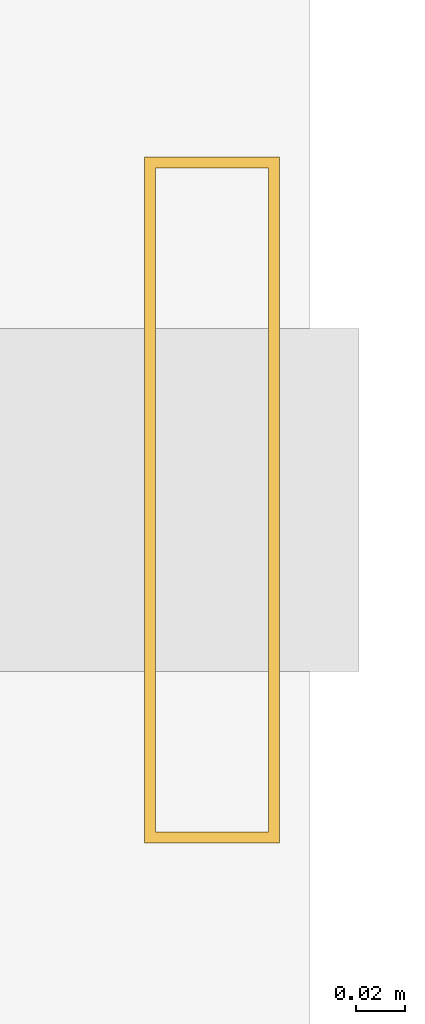
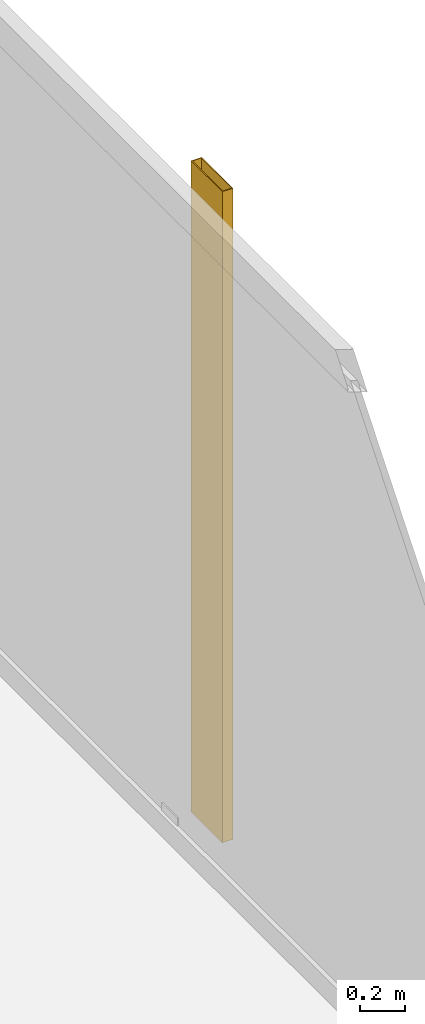
# One storey, part 23 of 23: 1 shading device.
"""IFC4 building model written with IfcOpenShell, lengths in metres."""

import ifcopenshell
import ifcopenshell.guid

model = None  # the IFC model being written
_history = None  # IfcOwnerHistory: only IFC2X3 demands one
_inside = {}  # id of a spatial element -> (the spatial element, [elements in it])
_under = {}  # id of a project, library or spatial element -> (it, [spatial elements below it])
_declared = {}  # id of a project -> (the project, [libraries it declares])
_typed = {}  # id of a type object -> (the type object, [elements of that type])
_made_of = {}  # id of a material, layer set ... -> (it, [elements and type objects made of it])


def new_model(schema):
    """Start an empty IFC model of exactly this schema.

    Asked for "IFC4X3", IfcOpenShell would pick the latest addendum, in which some entities
    have other attributes; the version numbers below select the first issue.
    IFC2X3 requires an IfcOwnerHistory on every rooted entity: one is made here for all.
    """
    global model, _history
    if schema == "IFC4X3":
        model = ifcopenshell.file(schema_version=(4, 3, 0, 0))
    else:
        model = ifcopenshell.file(schema=schema)
    _inside.clear()
    _under.clear()
    _declared.clear()
    _typed.clear()
    _made_of.clear()
    _history = None
    if model.schema == "IFC2X3":
        org = make("IfcOrganization", Name="unknown")
        user = make(
            "IfcPersonAndOrganization",
            ThePerson=make("IfcPerson", FamilyName="unknown"),
            TheOrganization=org,
        )
        app = make(
            "IfcApplication",
            ApplicationDeveloper=org,
            Version="unknown",
            ApplicationFullName="unknown",
            ApplicationIdentifier="unknown",
        )
        _history = make(
            "IfcOwnerHistory",
            OwningUser=user,
            OwningApplication=app,
            ChangeAction="ADDED",
            CreationDate=0,
        )
    return model


def make(cls, **values):
    """One entity of the class cls with the attributes given. An attribute that is None is left unset."""
    return model.create_entity(
        cls, **{name: value for name, value in values.items() if value is not None}
    )


def rooted(cls, **values):
    """An entity with a GlobalId (a new one), such as an element, a storey or a relation."""
    return make(cls, GlobalId=ifcopenshell.guid.new(), OwnerHistory=_history, **values)


def si_unit(unit_type, name, prefix=None):
    """IfcSIUnit, for example si_unit("LENGTHUNIT", "METRE", prefix="MILLI")."""
    return make("IfcSIUnit", UnitType=unit_type, Prefix=prefix, Name=name)


def assignment(units):
    """IfcUnitAssignment: the units of a project."""
    return None if units is None else make("IfcUnitAssignment", Units=units)


def point(xyz):
    """IfcCartesianPoint."""
    return None if xyz is None else make("IfcCartesianPoint", Coordinates=xyz)


def direction(xyz):
    """IfcDirection."""
    return None if xyz is None else make("IfcDirection", DirectionRatios=xyz)


def frame(location, z_axis=None, x_axis=None):
    """IfcAxis2Placement3D, a coordinate frame: its origin and axes. An axis left out is left unset."""
    return make(
        "IfcAxis2Placement3D",
        Location=point(location),
        Axis=direction(z_axis),
        RefDirection=direction(x_axis),
    )


def frame_2d(location, x_axis=None):
    """IfcAxis2Placement2D, a coordinate frame in the plane: its origin and x axis."""
    return make(
        "IfcAxis2Placement2D", Location=point(location), RefDirection=direction(x_axis)
    )


def origin():
    """The frame at (0, 0, 0) with its axes left unset."""
    return frame((0.0, 0.0, 0.0))


def origin_2d():
    """The frame at (0, 0) in the plane with its x axis left unset."""
    return frame_2d((0.0, 0.0))


def place(relative_to, where):
    """IfcLocalPlacement: puts the frame where relative to a parent placement (None: the world)."""
    return make(
        "IfcLocalPlacement", PlacementRelTo=relative_to, RelativePlacement=where
    )


def context(
    kind, dimensions, precision=None, world=None, true_north=None, identifier=None
):
    """IfcGeometricRepresentationContext, for example the 3D "Model" context."""
    return make(
        "IfcGeometricRepresentationContext",
        ContextIdentifier=identifier,
        ContextType=kind,
        CoordinateSpaceDimension=dimensions,
        Precision=precision,
        WorldCoordinateSystem=world,
        TrueNorth=true_north,
    )


def subcontext(parent, identifier, kind, view, scale=None):
    """IfcGeometricRepresentationSubContext, for example "Body" below "Model"."""
    return make(
        "IfcGeometricRepresentationSubContext",
        ContextIdentifier=identifier,
        ContextType=kind,
        ParentContext=parent,
        TargetScale=scale,
        TargetView=view,
    )


def project(units=None, contexts=None):
    """IfcProject with its units and contexts."""
    return rooted(
        "IfcProject",
        Name="project",
        RepresentationContexts=contexts,
        UnitsInContext=assignment(units),
    )


def spatial(cls, under=None, at=None, **own):
    """A site, building, storey or space (cls), placed at a placement, below another one or the project."""
    s = rooted(cls, ObjectPlacement=at, **own)
    if under is not None:
        _under.setdefault(under.id(), (under, []))[1].append(s)
    return s


def profile(cls, at=None, kind="AREA", **sizes):
    """A parametric profile (cls). Its sizes go by their IFC names, for example OverallWidth=200.0."""
    return make(cls, ProfileType=kind, Position=at, **sizes)


def hollow_rectangle(**sizes):
    """IfcRectangleHollowProfileDef."""
    return profile("IfcRectangleHollowProfileDef", **sizes)


def extrude(swept, where, along, depth):
    """IfcExtrudedAreaSolid: the profile swept, set in the frame where, extruded along a direction by depth."""
    return make(
        "IfcExtrudedAreaSolid",
        SweptArea=swept,
        Position=where,
        ExtrudedDirection=direction(along),
        Depth=depth,
    )


def shape(context_of_items, identifier, shape_type, items):
    """IfcShapeRepresentation: the items that make up one representation, for example the "Body"."""
    return make(
        "IfcShapeRepresentation",
        ContextOfItems=context_of_items,
        RepresentationIdentifier=identifier,
        RepresentationType=shape_type,
        Items=items,
    )


def material(Name=None, Category=None):
    """IfcMaterial."""
    return make("IfcMaterial", Name=Name, Category=Category)


def material_profile(
    of_material, cross_section, Name=None, Category=None, Priority=None
):
    """IfcMaterialProfile: a cross section and its material."""
    return make(
        "IfcMaterialProfile",
        Name=Name,
        Material=of_material,
        Profile=cross_section,
        Priority=Priority,
        Category=Category,
    )


def profile_set(profiles, Name=None, composite=None):
    """IfcMaterialProfileSet."""
    return make(
        "IfcMaterialProfileSet",
        Name=Name,
        MaterialProfiles=profiles,
        CompositeProfile=composite,
    )


def made_of(thing, what):
    """Note that an element or type object is made of a material, layer set ...; save() writes the relation."""
    if what is not None:
        _made_of.setdefault(what.id(), (what, []))[1].append(thing)
    return thing


def type_object(cls, material=None, **own):
    """A type object (cls), such as IfcWallType, which elements share."""
    return made_of(rooted(cls, **own), material)


def element(
    cls,
    number,
    at=None,
    inside=None,
    cuts=None,
    type_object=None,
    material=None,
    context=None,
    identifier="Body",
    shape_type=None,
    held_by="IfcProductDefinitionShape",
    body=None,
    shapes=None,
    **own,
):
    """One element of the class cls, such as IfcWall. Its Tag is "e" and its number.

    at: its placement. inside: the storey or other place that contains it. cuts: it is an
    opening in that element (IfcRelVoidsElement). A single representation is given by context,
    identifier, shape_type and body (its items); several are given by shapes. held_by: the class
    of the entity that holds the representations. save() writes the other relations.
    """
    e = rooted(cls, Tag="e%d" % number, ObjectPlacement=at, **own)
    if body is not None:
        shapes = [shape(context, identifier, shape_type, body)]
    if shapes is not None:
        e.Representation = make(held_by, Representations=shapes)
    if inside is not None:
        _inside.setdefault(inside.id(), (inside, []))[1].append(e)
    if cuts is not None:
        rooted(
            "IfcRelVoidsElement", RelatingBuildingElement=cuts, RelatedOpeningElement=e
        )
    if type_object is not None:
        _typed.setdefault(type_object.id(), (type_object, []))[1].append(e)
    return made_of(e, material)


def aggregate(whole, parts):
    """IfcRelAggregates: a whole, such as a stair, and the parts it consists of."""
    return rooted("IfcRelAggregates", RelatingObject=whole, RelatedObjects=parts)


def save(model, path):
    """Write the relations noted so far, then the file.

    IfcRelAggregates (storeys below a building ...), IfcRelContainedInSpatialStructure (elements
    in a storey), IfcRelDefinesByType, IfcRelAssociatesMaterial and IfcRelDeclares: one each for
    every whole, place, type object, material and project.
    """
    for whole, parts in _under.values():
        aggregate(whole, parts)
    for where, things in _inside.values():
        rooted(
            "IfcRelContainedInSpatialStructure",
            RelatedElements=things,
            RelatingStructure=where,
        )
    for kind, things in _typed.values():
        rooted("IfcRelDefinesByType", RelatedObjects=things, RelatingType=kind)
    for what, things in _made_of.values():
        rooted("IfcRelAssociatesMaterial", RelatedObjects=things, RelatingMaterial=what)
    for by, libraries in _declared.values():
        rooted("IfcRelDeclares", RelatingContext=by, RelatedDefinitions=libraries)
    model.write(path)


model = new_model("IFC4")

# Units and contexts
model_context = context("Model", 3, precision=1e-05, world=origin(), true_north=direction((0.0, 1.0)))
body_context = subcontext(model_context, "Body", "Model", "MODEL_VIEW")
ifc_project = project(units=[si_unit("LENGTHUNIT", "METRE"), si_unit("AREAUNIT", "SQUARE_METRE"), si_unit("VOLUMEUNIT", "CUBIC_METRE"), si_unit("PLANEANGLEUNIT", "RADIAN"), si_unit("MASSUNIT", "GRAM", prefix="KILO")], contexts=[model_context])

# Site, building, storey
site_placement = place(None, origin())
site = spatial("IfcSite", under=ifc_project, at=site_placement, CompositionType="ELEMENT")
building_placement = place(site_placement, origin())
building = spatial("IfcBuilding", under=site, at=building_placement, Name="Kolvaren Waterfront Exchange", CompositionType="ELEMENT")
storey_placement = place(building_placement, frame((0.0, 0.0, 297.0)))
storey = spatial("IfcBuildingStorey", under=building, at=storey_placement, Name="L76", CompositionType="ELEMENT", Elevation=297.0)

# Shading device
ifc_material = material(Name="Anodised bronze aluminium 6063-T6", Category="aluminium")
ifc_material_profile = material_profile(ifc_material, hollow_rectangle(XDim=0.054931640625, YDim=0.280029296875, WallThickness=0.00439453125, at=origin_2d()), Name="BRZ-FIN-280x55x4.5")
ifc_profile_set = profile_set([ifc_material_profile], Name="Anodised bronze aluminium 6063-T6")
shading_device_type = type_object("IfcShadingDeviceType", Name="ARC-FIN-280", PredefinedType="USERDEFINED", material=ifc_profile_set)
shading_device_placement = place(storey_placement, frame((21.265380859375, 37.60009765625, 0.0), z_axis=(0.0, 0.0, 1.0), x_axis=(1.0, 0.0, 0.0)))
element("IfcShadingDevice", 1, at=shading_device_placement, inside=storey, type_object=shading_device_type, Name="L76 anodised bronze solar shading fin FIN-L76-E3", ObjectType="SOLAR FIN", PredefinedType="USERDEFINED", context=body_context, shape_type="SweptSolid", body=[
    extrude(hollow_rectangle(XDim=0.054931640625, YDim=0.280029296875, WallThickness=0.00439453125, at=origin_2d()), origin(), (0.0, 0.0, 1.0), 3.56005859375),
])

save(model, "model.ifc")
